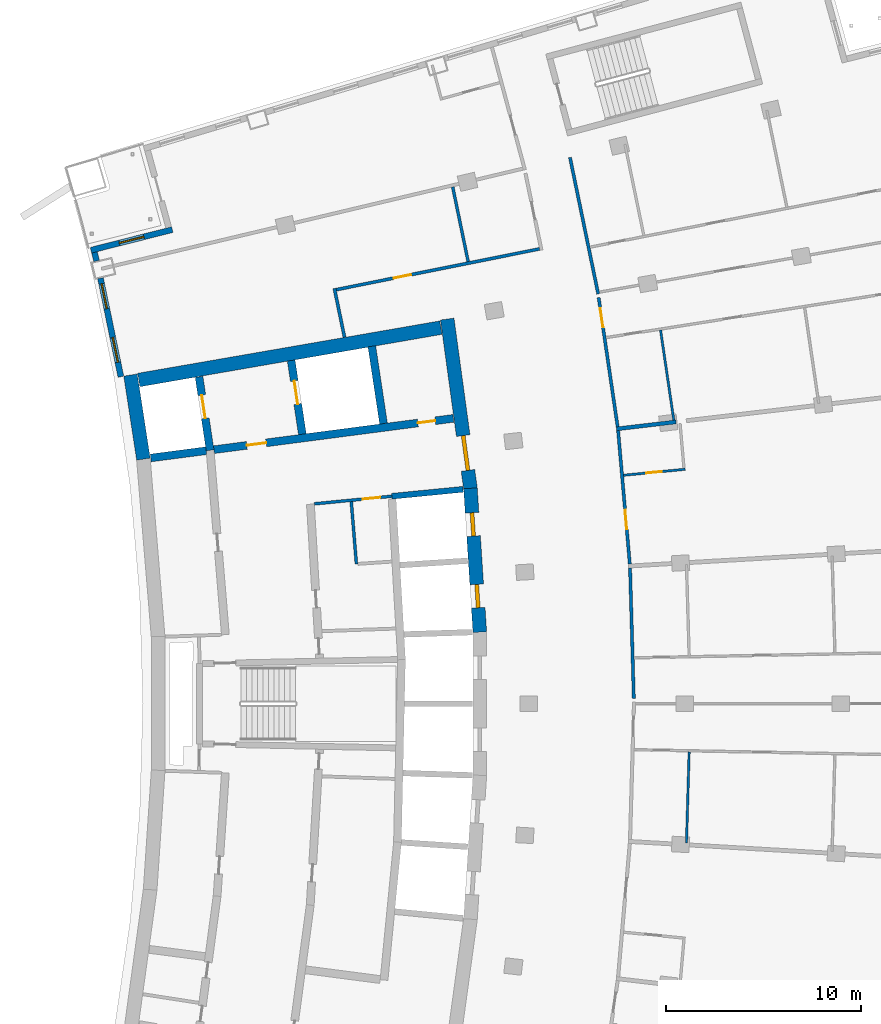
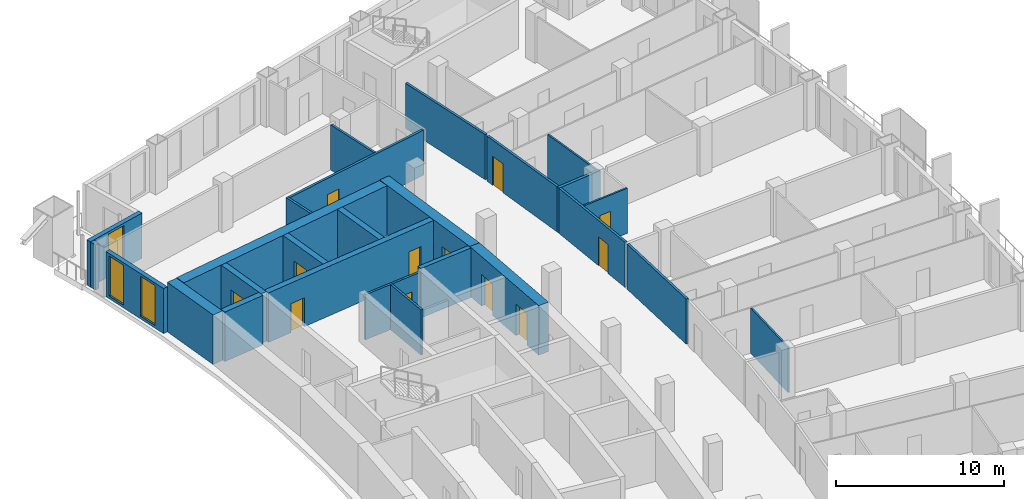
# One storey, part 13 of 20: 26 walls, 12 doors, 3 windows, 15 openings.
"""IFC4 building model written with IfcOpenShell, lengths in metres."""

from ifc_helpers import new_model, si_unit, direction, frame, frame_2d, origin, place, context, subcontext, project, spatial, rectangle, extrude, material, layer, layer_set, type_object, element, fill, save


model = new_model("IFC4")

# Units and contexts
model_context = context("Model", 3, precision=1e-05, world=origin(), true_north=direction((0.0, 1.0)))
body_context = subcontext(model_context, "Body", "Model", "MODEL_VIEW")
ifc_project = project(units=[si_unit("LENGTHUNIT", "METRE"), si_unit("AREAUNIT", "SQUARE_METRE"), si_unit("VOLUMEUNIT", "CUBIC_METRE"), si_unit("PLANEANGLEUNIT", "RADIAN"), si_unit("MASSUNIT", "GRAM", prefix="KILO")], contexts=[model_context])

# Site, building, storey
site_placement = place(None, origin())
site = spatial("IfcSite", under=ifc_project, at=site_placement, CompositionType="ELEMENT")
building_placement = place(site_placement, origin())
building = spatial("IfcBuilding", under=site, at=building_placement, Name="Alderwake Tower", CompositionType="ELEMENT")
storey_placement = place(building_placement, frame((0.0, 0.0, 153.199951171875)))
storey = spatial("IfcBuildingStorey", under=building, at=storey_placement, Name="L37", CompositionType="ELEMENT", Elevation=153.199951171875)

# Wall
ifc_material_1 = material(Name="Gypsum shaft wall system, rated")
ifc_layer_1 = layer(ifc_material_1, 0.14990234375)
ifc_layer_set_1 = layer_set([ifc_layer_1], Name="Core room partition 150")
wall_type_1 = type_object("IfcWallType", Name="Core room partition 150", PredefinedType="PARTITIONING", material=ifc_layer_set_1)
wall_1_placement = place(storey_placement, frame((26.9599609375, 68.170654296875, 0.0), z_axis=(0.0, 0.0, 1.0), x_axis=(-0.081803626558, 0.996648466954, 0.0)))
element("IfcWall", 1, at=wall_1_placement, inside=storey, type_object=wall_type_1, Name="CW/L37/PA+107_+70", PredefinedType="PARTITIONING", context=body_context, shape_type="SweptSolid", body=[
    extrude(rectangle(XDim=3.205322265625, YDim=0.14990234375, at=frame_2d((1.6025390625, 0.0))), origin(), (0.0, 0.0, 1.0), 3.280029296875),
])

# Wall, opening, door
wall_2_placement = place(storey_placement, frame((28.780517578125, 71.644287109375, 0.0), z_axis=(0.0, 0.0, 1.0), x_axis=(-0.995250000627, -0.097352125046, 0.0)))
wall_2 = element("IfcWall", 2, at=wall_2_placement, inside=storey, type_object=wall_type_1, Name="CW/L37/PR+102_+86", PredefinedType="PARTITIONING", context=body_context, shape_type="SweptSolid", body=[
    extrude(rectangle(XDim=4.0, YDim=0.14990234375, at=frame_2d((2.0, 0.0))), origin(), (0.0, 0.0, 1.0), 3.280029296875),
])
opening_1_placement = place(wall_2_placement, frame((0.60009765625, 0.0, 0.0)))
opening_1 = element("IfcOpeningElement", 3, at=opening_1_placement, cuts=wall_2, Name="Opening C022", PredefinedType="OPENING", context=body_context, shape_type="SweptSolid", body=[
    extrude(rectangle(XDim=0.89990234375, YDim=2.10009765625, at=frame_2d((0.449951171875, 1.050048828125))), frame((0.0, 0.0849609375, 0.0), z_axis=(0.0, -1.0, 0.0), x_axis=(1.0, 0.0, 0.0)), (0.0, 0.0, 1.0), 0.169921875),
])
ifc_material_2 = material(Name="Painted steel leaf", Category="steel")
door_type_1 = type_object("IfcDoorType", Name="Core room door 900", OperationType="SINGLE_SWING_LEFT", PredefinedType="DOOR", material=ifc_material_2)
door_1_placement = place(opening_1_placement, origin())
door_1 = element("IfcDoor", 4, at=door_1_placement, inside=storey, type_object=door_type_1, Name="Room door", OperationType="SINGLE_SWING_LEFT", OverallHeight=2.10009765625, OverallWidth=0.89990234375, PredefinedType="DOOR", context=body_context, shape_type="SweptSolid", body=[
    extrude(rectangle(XDim=0.89990234375, YDim=2.10009765625, at=frame_2d((0.449951171875, 1.050048828125))), frame((0.0, 0.02490234375, 0.0), z_axis=(0.0, -1.0, 0.0), x_axis=(1.0, 0.0, 0.0)), (0.0, 0.0, 1.0), 0.050048828125),
])
fill(opening_1, door_1)

# Wall
ifc_material_3 = material(Name="Concrete C70/85", Category="concrete")
ifc_layer_2 = layer(ifc_material_3, 0.699951171875)
ifc_layer_set_2 = layer_set([ifc_layer_2], Name="Core wall outer 700 C70-85")
wall_type_2 = type_object("IfcWallType", Name="Core wall outer 700 C70-85", PredefinedType="SHEAR", material=ifc_layer_set_2)
wall_3_placement = place(storey_placement, frame((16.033935546875, 73.547607421875, 0.0), z_axis=(0.0, 0.0, 1.0), x_axis=(-0.151897483467, 0.988396253795, 0.0)))
element("IfcWall", 5, at=wall_3_placement, inside=storey, type_object=wall_type_2, Name="Core wall CW.039", PredefinedType="SHEAR", context=body_context, shape_type="SweptSolid", body=[
    extrude(rectangle(XDim=4.365234375, YDim=0.699951171875, at=frame_2d((2.1826171875, 0.0))), origin(), (0.0, 0.0, 1.0), 3.60009765625),
])

# Wall, openings, doors
wall_4_placement = place(storey_placement, frame((33.291015625, 64.6728515625, 0.0), z_axis=(0.0, 0.0, 1.0), x_axis=(-0.065009096017, 0.99788467141, 0.0)))
wall_4 = element("IfcWall", 6, at=wall_4_placement, inside=storey, type_object=wall_type_2, Name="Core wall CW.010", PredefinedType="SHEAR", context=body_context, shape_type="SweptSolid", body=[
    extrude(rectangle(XDim=7.39453125, YDim=0.699951171875, at=frame_2d((3.697265625, 0.0))), origin(), (0.0, 0.0, 1.0), 3.60009765625),
])
opening_2_placement = place(wall_4_placement, frame((1.25390625, 0.0, 0.0)))
opening_2 = element("IfcOpeningElement", 7, at=opening_2_placement, cuts=wall_4, Name="Opening LD-HP5", PredefinedType="OPENING", context=body_context, shape_type="SweptSolid", body=[
    extrude(rectangle(XDim=1.199951171875, YDim=2.300048828125, at=frame_2d((0.60009765625, 1.14990234375))), frame((0.0, 0.35986328125, 0.0), z_axis=(0.0, -1.0, 0.0), x_axis=(1.0, 0.0, 0.0)), (0.0, 0.0, 1.0), 0.719970703125),
])
opening_3_placement = place(wall_4_placement, frame((4.939208984375, 0.0, 0.0)))
opening_3 = element("IfcOpeningElement", 8, at=opening_3_placement, cuts=wall_4, Name="Opening LD-HP6", PredefinedType="OPENING", context=body_context, shape_type="SweptSolid", body=[
    extrude(rectangle(XDim=1.199951171875, YDim=2.300048828125, at=frame_2d((0.60009765625, 1.14990234375))), frame((0.0, 0.35986328125, 0.0), z_axis=(0.0, -1.0, 0.0), x_axis=(1.0, 0.0, 0.0)), (0.0, 0.0, 1.0), 0.719970703125),
])
ifc_material_4 = material(Name="Stainless steel sliding leaf", Category="steel")
door_type_2 = type_object("IfcDoorType", Name="Lift landing door 1200", OperationType="SLIDING_TO_LEFT", PredefinedType="DOOR", material=ifc_material_4)
door_2_placement = place(opening_2_placement, origin())
door_2 = element("IfcDoor", 9, at=door_2_placement, inside=storey, type_object=door_type_2, Name="Lift landing door HP5", OperationType="SLIDING_TO_LEFT", OverallHeight=2.300048828125, OverallWidth=1.199951171875, PredefinedType="DOOR", context=body_context, shape_type="SweptSolid", body=[
    extrude(rectangle(XDim=1.199951171875, YDim=2.300048828125, at=frame_2d((0.60009765625, 1.14990234375))), frame((0.0, 0.10009765625, 0.0), z_axis=(0.0, -1.0, 0.0), x_axis=(1.0, 0.0, 0.0)), (0.0, 0.0, 1.0), 0.199951171875),
])
fill(opening_2, door_2)
door_3_placement = place(opening_3_placement, origin())
door_3 = element("IfcDoor", 10, at=door_3_placement, inside=storey, type_object=door_type_2, Name="Lift landing door HP6", OperationType="SLIDING_TO_LEFT", OverallHeight=2.300048828125, OverallWidth=1.199951171875, PredefinedType="DOOR", context=body_context, shape_type="SweptSolid", body=[
    extrude(rectangle(XDim=1.199951171875, YDim=2.300048828125, at=frame_2d((0.60009765625, 1.14990234375))), frame((0.0, 0.10009765625, 0.0), z_axis=(0.0, -1.0, 0.0), x_axis=(1.0, 0.0, 0.0)), (0.0, 0.0, 1.0), 0.199951171875),
])
fill(opening_3, door_3)

# Wall, opening, door
wall_5_placement = place(storey_placement, frame((31.618896484375, 80.735107421875, 0.0), z_axis=(0.0, 0.0, 1.0), x_axis=(0.135835706655, -0.99073137671, 0.0)))
wall_5 = element("IfcWall", 11, at=wall_5_placement, inside=storey, type_object=wall_type_2, Name="Core wall CW.009", PredefinedType="SHEAR", context=body_context, shape_type="SweptSolid", body=[
    extrude(rectangle(XDim=8.790771484375, YDim=0.699951171875, at=frame_2d((4.3955078125, 0.0))), origin(), (0.0, 0.0, 1.0), 3.60009765625),
])
opening_4_placement = place(wall_5_placement, frame((6.035888671875, 0.0, 0.0)))
opening_4 = element("IfcOpeningElement", 12, at=opening_4_placement, cuts=wall_5, Name="Opening C001", PredefinedType="OPENING", context=body_context, shape_type="SweptSolid", body=[
    extrude(rectangle(XDim=1.800048828125, YDim=2.10009765625, at=frame_2d((0.89990234375, 1.050048828125))), frame((0.0, 0.35986328125, 0.0), z_axis=(0.0, -1.0, 0.0), x_axis=(1.0, 0.0, 0.0)), (0.0, 0.0, 1.0), 0.719970703125),
])
ifc_material_5 = material(Name="Steel-framed fire door leaves", Category="steel")
door_type_3 = type_object("IfcDoorType", Name="Core double door 1800 fire-rated", OperationType="DOUBLE_DOOR_SINGLE_SWING", PredefinedType="DOOR", material=ifc_material_5)
door_4_placement = place(opening_4_placement, origin())
door_4 = element("IfcDoor", 13, at=door_4_placement, inside=storey, type_object=door_type_3, Name="Lobby double door", OperationType="DOUBLE_DOOR_SINGLE_SWING", OverallHeight=2.10009765625, OverallWidth=1.800048828125, PredefinedType="DOOR", context=body_context, shape_type="SweptSolid", body=[
    extrude(rectangle(XDim=1.800048828125, YDim=2.10009765625, at=frame_2d((0.89990234375, 1.050048828125))), frame((0.0, 0.10009765625, 0.0), z_axis=(0.0, -1.0, 0.0), x_axis=(1.0, 0.0, 0.0)), (0.0, 0.0, 1.0), 0.199951171875),
])
fill(opening_4, door_4)

# Walls
wall_6_placement = place(storey_placement, frame((15.79443359375, 77.606689453125, 0.0), z_axis=(0.0, 0.0, 1.0), x_axis=(0.985301369349, 0.170825090542, 0.0)))
element("IfcWall", 14, at=wall_6_placement, inside=storey, type_object=wall_type_2, Name="Core wall CW.055", PredefinedType="SHEAR", context=body_context, shape_type="SweptSolid", body=[
    extrude(rectangle(XDim=15.732421875, YDim=0.699951171875, at=frame_2d((7.8662109375, 0.0))), origin(), (0.0, 0.0, 1.0), 3.60009765625),
])
ifc_material_6 = material(Name="Concrete C70/85", Category="concrete")
ifc_layer_3 = layer(ifc_material_6, 0.300048828125)
ifc_layer_set_3 = layer_set([ifc_layer_3], Name="Core wall shaft 300 C70-85")
wall_type_3 = type_object("IfcWallType", Name="Core wall shaft 300 C70-85", PredefinedType="SHEAR", material=ifc_layer_set_3)
wall_7_placement = place(storey_placement, frame((28.780517578125, 71.644287109375, 0.0), z_axis=(0.0, 0.0, 1.0), x_axis=(0.995245736737, 0.097395705788, 0.0)))
element("IfcWall", 15, at=wall_7_placement, inside=storey, type_object=wall_type_3, Name="Core wall CW.049", PredefinedType="SHEAR", context=body_context, shape_type="SweptSolid", body=[
    extrude(rectangle(XDim=3.669677734375, YDim=0.300048828125, at=frame_2d((1.8349609375, 0.0))), origin(), (0.0, 0.0, 1.0), 3.60009765625),
])

# Wall, opening, door
ifc_material_7 = material(Name="Concrete C70/85", Category="concrete")
ifc_layer_4 = layer(ifc_material_7, 0.39990234375)
ifc_layer_set_4 = layer_set([ifc_layer_4], Name="Core wall spine 400 C70-85")
wall_type_4 = type_object("IfcWallType", Name="Core wall spine 400 C70-85", PredefinedType="SHEAR", material=ifc_layer_set_4)
wall_8_placement = place(storey_placement, frame((19.4541015625, 74.000732421875, 0.0), z_axis=(0.0, 0.0, 1.0), x_axis=(-0.148540738889, 0.988906289236, 0.0)))
wall_8 = element("IfcWall", 16, at=wall_8_placement, inside=storey, type_object=wall_type_4, Name="Core wall CW.030", PredefinedType="SHEAR", context=body_context, shape_type="SweptSolid", body=[
    extrude(rectangle(XDim=3.814697265625, YDim=0.39990234375, at=frame_2d((1.9072265625, 0.0))), origin(), (0.0, 0.0, 1.0), 3.60009765625),
])
opening_5_placement = place(wall_8_placement, frame((1.660888671875, 0.0, 0.0)))
opening_5 = element("IfcOpeningElement", 17, at=opening_5_placement, cuts=wall_8, Name="Opening LD-FF1", PredefinedType="OPENING", context=body_context, shape_type="SweptSolid", body=[
    extrude(rectangle(XDim=1.199951171875, YDim=2.300048828125, at=frame_2d((0.60009765625, 1.14990234375))), frame((0.0, 0.2099609375, 0.0), z_axis=(0.0, -1.0, 0.0), x_axis=(1.0, 0.0, 0.0)), (0.0, 0.0, 1.0), 0.419921875),
])
door_5_placement = place(opening_5_placement, origin())
door_5 = element("IfcDoor", 18, at=door_5_placement, inside=storey, type_object=door_type_2, Name="Lift landing door FF1", OperationType="SLIDING_TO_LEFT", OverallHeight=2.300048828125, OverallWidth=1.199951171875, PredefinedType="DOOR", context=body_context, shape_type="SweptSolid", body=[
    extrude(rectangle(XDim=1.199951171875, YDim=2.300048828125, at=frame_2d((0.60009765625, 1.14990234375))), frame((0.0, 0.02490234375, 0.0), z_axis=(0.0, -1.0, 0.0), x_axis=(1.0, 0.0, 0.0)), (0.0, 0.0, 1.0), 0.050048828125),
])
fill(opening_5, door_5)

wall_9_placement = place(storey_placement, frame((24.186279296875, 74.82861328125, 0.0), z_axis=(0.0, 0.0, 1.0), x_axis=(-0.149604879253, 0.988745862243, 0.0)))
wall_9 = element("IfcWall", 19, at=wall_9_placement, inside=storey, type_object=wall_type_4, Name="Core wall CW.044", PredefinedType="SHEAR", context=body_context, shape_type="SweptSolid", body=[
    extrude(rectangle(XDim=3.823486328125, YDim=0.39990234375, at=frame_2d((1.91162109375, 0.0))), origin(), (0.0, 0.0, 1.0), 3.60009765625),
])
opening_6_placement = place(wall_9_placement, frame((1.561767578125, 0.0, 0.0)))
opening_6 = element("IfcOpeningElement", 20, at=opening_6_placement, cuts=wall_9, Name="Opening LD-FF2", PredefinedType="OPENING", context=body_context, shape_type="SweptSolid", body=[
    extrude(rectangle(XDim=1.199951171875, YDim=2.300048828125, at=frame_2d((0.60009765625, 1.14990234375))), frame((0.0, 0.2099609375, 0.0), z_axis=(0.0, -1.0, 0.0), x_axis=(1.0, 0.0, 0.0)), (0.0, 0.0, 1.0), 0.419921875),
])
door_6_placement = place(opening_6_placement, origin())
door_6 = element("IfcDoor", 21, at=door_6_placement, inside=storey, type_object=door_type_2, Name="Lift landing door FF2", OperationType="SLIDING_TO_LEFT", OverallHeight=2.300048828125, OverallWidth=1.199951171875, PredefinedType="DOOR", context=body_context, shape_type="SweptSolid", body=[
    extrude(rectangle(XDim=1.199951171875, YDim=2.300048828125, at=frame_2d((0.60009765625, 1.14990234375))), frame((0.0, 0.02490234375, 0.0), z_axis=(0.0, -1.0, 0.0), x_axis=(1.0, 0.0, 0.0)), (0.0, 0.0, 1.0), 0.050048828125),
])
fill(opening_6, door_6)

# Walls
wall_10_placement = place(storey_placement, frame((28.350830078125, 75.373291015625, 0.0), z_axis=(0.0, 0.0, 1.0), x_axis=(-0.149688214264, 0.988733249421, 0.0)))
element("IfcWall", 22, at=wall_10_placement, inside=storey, type_object=wall_type_4, Name="Core wall CW.001", PredefinedType="SHEAR", context=body_context, shape_type="SweptSolid", body=[
    extrude(rectangle(XDim=4.01220703125, YDim=0.39990234375, at=frame_2d((2.006103515625, 0.0))), origin(), (0.0, 0.0, 1.0), 3.60009765625),
])
wall_11_placement = place(storey_placement, frame((16.4091796875, 73.609619140625, 0.0), z_axis=(0.0, 0.0, 1.0), x_axis=(0.991557657486, 0.129666541102, 0.0)))
element("IfcWall", 23, at=wall_11_placement, inside=storey, type_object=wall_type_4, Name="Core wall CW.051", PredefinedType="SHEAR", context=body_context, shape_type="SweptSolid", body=[
    extrude(rectangle(XDim=2.869384765625, YDim=0.39990234375, at=frame_2d((1.4345703125, 0.0))), origin(), (0.0, 0.0, 1.0), 3.60009765625),
])

# Wall, openings, doors
wall_12_placement = place(storey_placement, frame((31.933837890625, 75.64013671875, 0.0), z_axis=(0.0, 0.0, 1.0), x_axis=(-0.991554628634, -0.129689700573, 0.0)))
wall_12 = element("IfcWall", 24, at=wall_12_placement, inside=storey, type_object=wall_type_4, Name="Core wall CW.052", PredefinedType="SHEAR", context=body_context, shape_type="SweptSolid", body=[
    extrude(rectangle(XDim=12.38671875, YDim=0.39990234375, at=frame_2d((6.193359375, 0.0))), origin(), (0.0, 0.0, 1.0), 3.60009765625),
])
opening_7_placement = place(wall_12_placement, frame((9.687255859375, 0.0, 0.0)))
opening_7 = element("IfcOpeningElement", 25, at=opening_7_placement, cuts=wall_12, Name="Opening C002", PredefinedType="OPENING", context=body_context, shape_type="SweptSolid", body=[
    extrude(rectangle(XDim=1.0, YDim=2.10009765625, at=frame_2d((0.5, 1.050048828125))), frame((0.0, 0.2099609375, 0.0), z_axis=(0.0, -1.0, 0.0), x_axis=(1.0, 0.0, 0.0)), (0.0, 0.0, 1.0), 0.419921875),
])
opening_8_placement = place(wall_12_placement, frame((0.937255859375, 0.0, 0.0)))
opening_8 = element("IfcOpeningElement", 26, at=opening_8_placement, cuts=wall_12, Name="Opening C020", PredefinedType="OPENING", context=body_context, shape_type="SweptSolid", body=[
    extrude(rectangle(XDim=0.89990234375, YDim=2.10009765625, at=frame_2d((0.449951171875, 1.050048828125))), frame((0.0, 0.2099609375, 0.0), z_axis=(0.0, -1.0, 0.0), x_axis=(1.0, 0.0, 0.0)), (0.0, 0.0, 1.0), 0.419921875),
])
door_7_placement = place(opening_8_placement, origin())
door_7 = element("IfcDoor", 27, at=door_7_placement, inside=storey, type_object=door_type_1, Name="Room door", OperationType="SINGLE_SWING_RIGHT", OverallHeight=2.10009765625, OverallWidth=0.89990234375, PredefinedType="DOOR", context=body_context, shape_type="SweptSolid", body=[
    extrude(rectangle(XDim=0.89990234375, YDim=2.10009765625, at=frame_2d((0.449951171875, 1.050048828125))), frame((0.0, 0.02490234375, 0.0), z_axis=(0.0, -1.0, 0.0), x_axis=(1.0, 0.0, 0.0)), (0.0, 0.0, 1.0), 0.050048828125),
])
fill(opening_8, door_7)
ifc_material_8 = material(Name="Steel-framed fire door leaf", Category="steel")
door_type_4 = type_object("IfcDoorType", Name="Firefighting lobby door 1000 fire-rated", OperationType="SINGLE_SWING_LEFT", PredefinedType="DOOR", material=ifc_material_8)
door_8_placement = place(opening_7_placement, origin())
door_8 = element("IfcDoor", 28, at=door_8_placement, inside=storey, type_object=door_type_4, Name="Firefighting lobby door", OperationType="SINGLE_SWING_RIGHT", OverallHeight=2.10009765625, OverallWidth=1.0, PredefinedType="DOOR", context=body_context, shape_type="SweptSolid", body=[
    extrude(rectangle(XDim=1.0, YDim=2.10009765625, at=frame_2d((0.5, 1.050048828125))), frame((0.0, 0.02490234375, 0.0), z_axis=(0.0, -1.0, 0.0), x_axis=(1.0, 0.0, 0.0)), (0.0, 0.0, 1.0), 0.050048828125),
])
fill(opening_7, door_8)

# Wall
ifc_material_9 = material(Name="Gypsum board on metal studs, rated")
ifc_layer_5 = layer(ifc_material_9, 0.159912109375)
ifc_layer_set_5 = layer_set([ifc_layer_5], Name="Corridor wall 160")
wall_type_5 = type_object("IfcWallType", Name="Corridor wall 160", PredefinedType="PARTITIONING", material=ifc_layer_set_5)
wall_13_placement = place(storey_placement, frame((25.831787109375, 82.305419921875, 0.0), z_axis=(0.0, 0.0, 1.0), x_axis=(0.202450797205, -0.979292435747, 0.0)))
element("IfcWall", 29, at=wall_13_placement, inside=storey, type_object=wall_type_5, Name="WL/L37/W14", PredefinedType="PARTITIONING", context=body_context, shape_type="SweptSolid", body=[
    extrude(rectangle(XDim=2.555419921875, YDim=0.159912109375, at=frame_2d((1.27783203125, 0.0))), origin(), (0.0, 0.0, 1.0), 3.280029296875),
])

# Wall, opening, door
wall_14_placement = place(storey_placement, frame((25.926513671875, 82.24267578125, 0.0), z_axis=(0.0, 0.0, 1.0), x_axis=(0.98046310274, 0.196703086316, 0.0)))
wall_14 = element("IfcWall", 30, at=wall_14_placement, inside=storey, type_object=wall_type_5, Name="WL/L37/W20", PredefinedType="PARTITIONING", context=body_context, shape_type="SweptSolid", body=[
    extrude(rectangle(XDim=10.637939453125, YDim=0.159912109375, at=frame_2d((5.31884765625, 0.0))), origin(), (0.0, 0.0, 1.0), 3.280029296875),
])
opening_9_placement = place(wall_14_placement, frame((3.009033203125, 0.0, 0.0)))
opening_9 = element("IfcOpeningElement", 31, at=opening_9_placement, cuts=wall_14, Name="Opening R10-SBN1", PredefinedType="OPENING", context=body_context, shape_type="SweptSolid", body=[
    extrude(rectangle(XDim=0.89990234375, YDim=2.10009765625, at=frame_2d((0.449951171875, 1.050048828125))), frame((0.0, 0.08984375, 0.0), z_axis=(0.0, -1.0, 0.0), x_axis=(1.0, 0.0, 0.0)), (0.0, 0.0, 1.0), 0.179931640625),
])
ifc_material_10 = material(Name="Painted timber leaf", Category="wood")
door_type_5 = type_object("IfcDoorType", Name="Room door 900", OperationType="SINGLE_SWING_LEFT", PredefinedType="DOOR", material=ifc_material_10)
door_9_placement = place(opening_9_placement, origin())
door_9 = element("IfcDoor", 32, at=door_9_placement, inside=storey, type_object=door_type_5, Name="DR/L37/SBN1", OperationType="SINGLE_SWING_LEFT", OverallHeight=2.10009765625, OverallWidth=0.89990234375, PredefinedType="DOOR", context=body_context, shape_type="SweptSolid", body=[
    extrude(rectangle(XDim=0.89990234375, YDim=2.10009765625, at=frame_2d((0.449951171875, 1.050048828125))), frame((0.0, 0.02490234375, 0.0), z_axis=(0.0, -1.0, 0.0), x_axis=(1.0, 0.0, 0.0)), (0.0, 0.0, 1.0), 0.050048828125),
])
fill(opening_9, door_9)

# Wall
wall_15_placement = place(storey_placement, frame((39.3642578125, 82.022705078125, 0.0), z_axis=(0.0, 0.0, 1.0), x_axis=(-0.202409142021, 0.979301046271, 0.0)))
element("IfcWall", 33, at=wall_15_placement, inside=storey, type_object=wall_type_5, Name="WL/L37/W23", PredefinedType="PARTITIONING", context=body_context, shape_type="SweptSolid", body=[
    extrude(rectangle(XDim=7.150146484375, YDim=0.159912109375, at=frame_2d((3.5751953125, 0.0))), origin(), (0.0, 0.0, 1.0), 3.280029296875),
])

# Wall, opening, door
wall_16_placement = place(storey_placement, frame((39.38671875, 81.837158203125, 0.0), z_axis=(0.0, 0.0, 1.0), x_axis=(0.145576845789, -0.989346947218, 0.0)))
wall_16 = element("IfcWall", 34, at=wall_16_placement, inside=storey, type_object=wall_type_5, Name="WL/L37/W24", PredefinedType="PARTITIONING", context=body_context, shape_type="SweptSolid", body=[
    extrude(rectangle(XDim=6.701416015625, YDim=0.159912109375, at=frame_2d((3.3505859375, 0.0))), origin(), (0.0, 0.0, 1.0), 3.280029296875),
])
opening_10_placement = place(wall_16_placement, frame((0.54443359375, 0.0, 0.0)))
opening_10 = element("IfcOpeningElement", 35, at=opening_10_placement, cuts=wall_16, Name="Opening R10-U07.2", PredefinedType="OPENING", context=body_context, shape_type="SweptSolid", body=[
    extrude(rectangle(XDim=1.0, YDim=2.10009765625, at=frame_2d((0.5, 1.050048828125))), frame((0.0, 0.08984375, 0.0), z_axis=(0.0, -1.0, 0.0), x_axis=(1.0, 0.0, 0.0)), (0.0, 0.0, 1.0), 0.179931640625),
])
ifc_material_11 = material(Name="Solid timber leaf in steel frame", Category="steel")
door_type_6 = type_object("IfcDoorType", Name="Flat entrance door 1000 fire-rated", OperationType="SINGLE_SWING_LEFT", PredefinedType="DOOR", material=ifc_material_11)
door_10_placement = place(opening_10_placement, origin())
door_10 = element("IfcDoor", 36, at=door_10_placement, inside=storey, type_object=door_type_6, Name="DR/L37/U07.2", OperationType="SINGLE_SWING_LEFT", OverallHeight=2.10009765625, OverallWidth=1.0, PredefinedType="DOOR", context=body_context, shape_type="SweptSolid", body=[
    extrude(rectangle(XDim=1.0, YDim=2.10009765625, at=frame_2d((0.5, 1.050048828125))), frame((0.0, 0.02490234375, 0.0), z_axis=(0.0, -1.0, 0.0), x_axis=(1.0, 0.0, 0.0)), (0.0, 0.0, 1.0), 0.050048828125),
])
fill(opening_10, door_10)

wall_17_placement = place(storey_placement, frame((40.3857421875, 75.00830078125, 0.0), z_axis=(0.0, 0.0, 1.0), x_axis=(0.087448731147, -0.996169021512, 0.0)))
wall_17 = element("IfcWall", 37, at=wall_17_placement, inside=storey, type_object=wall_type_5, Name="WL/L37/W27", PredefinedType="PARTITIONING", context=body_context, shape_type="SweptSolid", body=[
    extrude(rectangle(XDim=6.867919921875, YDim=0.159912109375, at=frame_2d((3.43408203125, 0.0))), origin(), (0.0, 0.0, 1.0), 3.280029296875),
])
opening_11_placement = place(wall_17_placement, frame((4.085693359375, 0.0, 0.0)))
opening_11 = element("IfcOpeningElement", 38, at=opening_11_placement, cuts=wall_17, Name="Opening R10-U06.1", PredefinedType="OPENING", context=body_context, shape_type="SweptSolid", body=[
    extrude(rectangle(XDim=1.0, YDim=2.10009765625, at=frame_2d((0.5, 1.050048828125))), frame((0.0, 0.08984375, 0.0), z_axis=(0.0, -1.0, 0.0), x_axis=(1.0, 0.0, 0.0)), (0.0, 0.0, 1.0), 0.179931640625),
])
door_11_placement = place(opening_11_placement, origin())
door_11 = element("IfcDoor", 39, at=door_11_placement, inside=storey, type_object=door_type_6, Name="DR/L37/U06.1", OperationType="SINGLE_SWING_LEFT", OverallHeight=2.10009765625, OverallWidth=1.0, PredefinedType="DOOR", context=body_context, shape_type="SweptSolid", body=[
    extrude(rectangle(XDim=1.0, YDim=2.10009765625, at=frame_2d((0.5, 1.050048828125))), frame((0.0, 0.02490234375, 0.0), z_axis=(0.0, -1.0, 0.0), x_axis=(1.0, 0.0, 0.0)), (0.0, 0.0, 1.0), 0.050048828125),
])
fill(opening_11, door_11)

# Walls
wall_18_placement = place(storey_placement, frame((40.997802734375, 67.967041015625, 0.0), z_axis=(0.0, 0.0, 1.0), x_axis=(0.0288778927, -0.99958294669, 0.0)))
element("IfcWall", 40, at=wall_18_placement, inside=storey, type_object=wall_type_5, Name="WL/L37/W28", PredefinedType="PARTITIONING", context=body_context, shape_type="SweptSolid", body=[
    extrude(rectangle(XDim=6.7041015625, YDim=0.159912109375, at=frame_2d((3.35205078125, 0.0))), origin(), (0.0, 0.0, 1.0), 3.280029296875),
])
ifc_material_12 = material(Name="Precast concrete C50/60 spandrel panel", Category="concrete")
ifc_layer_6 = layer(ifc_material_12, 0.300048828125)
ifc_layer_set_6 = layer_set([ifc_layer_6], Name="External wall EW1 Precast concrete C50/60 spandrel")
wall_type_6 = type_object("IfcWallType", Name="External wall EW1 Precast concrete C50/60 spandrel", PredefinedType="SOLIDWALL", material=ifc_layer_set_6)
wall_19_placement = place(storey_placement, frame((13.523193359375, 84.1572265625, 0.0), z_axis=(0.0, 0.0, 1.0), x_axis=(0.238729806706, -0.97108603089, 0.0)))
element("IfcWall", 41, at=wall_19_placement, inside=storey, type_object=wall_type_6, Name="External wall 30", PredefinedType="SOLIDWALL", context=body_context, shape_type="SweptSolid", body=[
    extrude(rectangle(XDim=0.453125, YDim=0.300048828125, at=frame_2d((0.2265625, 0.0))), origin(), (0.0, 0.0, 1.0), 3.280029296875),
])

# Wall, openings, windows
wall_20_placement = place(storey_placement, frame((13.83203125, 82.8291015625, 0.0), z_axis=(0.0, 0.0, 1.0), x_axis=(0.202754243564, -0.979229654737, 0.0)))
wall_20 = element("IfcWall", 42, at=wall_20_placement, inside=storey, type_object=wall_type_6, Name="External wall 31", PredefinedType="SOLIDWALL", context=body_context, shape_type="SweptSolid", body=[
    extrude(rectangle(XDim=5.15966796875, YDim=0.300048828125, at=frame_2d((2.579833984375, 0.0))), origin(), (0.0, 0.0, 1.0), 3.280029296875),
])
opening_12_placement = place(wall_20_placement, frame((0.29052734375, 0.0, 0.199951171875)))
opening_12 = element("IfcOpeningElement", 43, at=opening_12_placement, cuts=wall_20, Name="Opening W1", PredefinedType="OPENING", context=body_context, shape_type="SweptSolid", body=[
    extrude(rectangle(XDim=1.300048828125, YDim=2.89990234375, at=frame_2d((0.64990234375, 1.449951171875))), frame((0.0, 0.159912109375, 0.0), z_axis=(0.0, -1.0, 0.0), x_axis=(1.0, 0.0, 0.0)), (0.0, 0.0, 1.0), 0.320068359375),
])
opening_13_placement = place(wall_20_placement, frame((3.103271484375, 0.0, 0.199951171875)))
opening_13 = element("IfcOpeningElement", 44, at=opening_13_placement, cuts=wall_20, Name="Opening W1", PredefinedType="OPENING", context=body_context, shape_type="SweptSolid", body=[
    extrude(rectangle(XDim=1.300048828125, YDim=2.89990234375, at=frame_2d((0.64990234375, 1.449951171875))), frame((0.0, 0.159912109375, 0.0), z_axis=(0.0, -1.0, 0.0), x_axis=(1.0, 0.0, 0.0)), (0.0, 0.0, 1.0), 0.320068359375),
])
ifc_material_13 = material(Name="Bronze tinted glass in aluminium frame", Category="aluminium")
window_type = type_object("IfcWindowType", Name="Window W1 tall fixed and vent", PartitioningType="DOUBLE_PANEL_VERTICAL", PredefinedType="WINDOW", material=ifc_material_13)
window_1_placement = place(opening_12_placement, origin())
window_1 = element("IfcWindow", 45, at=window_1_placement, inside=storey, type_object=window_type, Name="Window W1 tall fixed and vent", OverallHeight=2.89990234375, OverallWidth=1.300048828125, PartitioningType="DOUBLE_PANEL_VERTICAL", PredefinedType="WINDOW", context=body_context, shape_type="SweptSolid", body=[
    extrude(rectangle(XDim=1.300048828125, YDim=2.89990234375, at=frame_2d((0.64990234375, 1.449951171875))), frame((0.0, 0.030029296875, 0.0), z_axis=(0.0, -1.0, 0.0), x_axis=(1.0, 0.0, 0.0)), (0.0, 0.0, 1.0), 0.06005859375),
])
fill(opening_12, window_1)
window_2_placement = place(opening_13_placement, origin())
window_2 = element("IfcWindow", 46, at=window_2_placement, inside=storey, type_object=window_type, Name="Window W1 tall fixed and vent", OverallHeight=2.89990234375, OverallWidth=1.300048828125, PartitioningType="DOUBLE_PANEL_VERTICAL", PredefinedType="WINDOW", context=body_context, shape_type="SweptSolid", body=[
    extrude(rectangle(XDim=1.300048828125, YDim=2.89990234375, at=frame_2d((0.64990234375, 1.449951171875))), frame((0.0, 0.030029296875, 0.0), z_axis=(0.0, -1.0, 0.0), x_axis=(1.0, 0.0, 0.0)), (0.0, 0.0, 1.0), 0.06005859375),
])
fill(opening_13, window_2)

# Wall, opening, window
ifc_material_14 = material(Name="Bronze metal cladding on lightweight framing")
ifc_layer_7 = layer(ifc_material_14, 0.300048828125)
ifc_layer_set_7 = layer_set([ifc_layer_7], Name="External wall EW2 bronze metal cladding")
wall_type_7 = type_object("IfcWallType", Name="External wall EW2 bronze metal cladding", PredefinedType="SOLIDWALL", material=ifc_layer_set_7)
wall_21_placement = place(storey_placement, frame((17.51611328125, 85.32275390625, 0.0), z_axis=(0.0, 0.0, 1.0), x_axis=(-0.969417740682, -0.245416470617, 0.0)))
wall_21 = element("IfcWall", 47, at=wall_21_placement, inside=storey, type_object=wall_type_7, Name="External wall 29", PredefinedType="SOLIDWALL", context=body_context, shape_type="SweptSolid", body=[
    extrude(rectangle(XDim=4.305419921875, YDim=0.300048828125, at=frame_2d((2.15283203125, 0.0))), origin(), (0.0, 0.0, 1.0), 3.280029296875),
])
opening_14_placement = place(wall_21_placement, frame((1.502685546875, 0.0, 0.199951171875)))
opening_14 = element("IfcOpeningElement", 48, at=opening_14_placement, cuts=wall_21, Name="Opening W1", PredefinedType="OPENING", context=body_context, shape_type="SweptSolid", body=[
    extrude(rectangle(XDim=1.300048828125, YDim=2.89990234375, at=frame_2d((0.64990234375, 1.449951171875))), frame((0.0, 0.159912109375, 0.0), z_axis=(0.0, -1.0, 0.0), x_axis=(1.0, 0.0, 0.0)), (0.0, 0.0, 1.0), 0.320068359375),
])
window_3_placement = place(opening_14_placement, origin())
window_3 = element("IfcWindow", 49, at=window_3_placement, inside=storey, type_object=window_type, Name="Window W1 tall fixed and vent", OverallHeight=2.89990234375, OverallWidth=1.300048828125, PartitioningType="DOUBLE_PANEL_VERTICAL", PredefinedType="WINDOW", context=body_context, shape_type="SweptSolid", body=[
    extrude(rectangle(XDim=1.300048828125, YDim=2.89990234375, at=frame_2d((0.64990234375, 1.449951171875))), frame((0.0, 0.030029296875, 0.0), z_axis=(0.0, -1.0, 0.0), x_axis=(1.0, 0.0, 0.0)), (0.0, 0.0, 1.0), 0.06005859375),
])
fill(opening_14, window_3)

# Walls
ifc_material_15 = material(Name="Dense block masonry wall", Category="masonry")
ifc_layer_8 = layer(ifc_material_15, 0.199951171875)
ifc_layer_set_8 = layer_set([ifc_layer_8], Name="Party wall 200")
wall_type_8 = type_object("IfcWallType", Name="Party wall 200", PredefinedType="SOLIDWALL", material=ifc_layer_set_8)
wall_22_placement = place(storey_placement, frame((43.356201171875, 75.458740234375, 0.0), z_axis=(0.0, 0.0, 1.0), x_axis=(-0.993140319253, -0.116928637524, 0.0)))
element("IfcWall", 50, at=wall_22_placement, inside=storey, type_object=wall_type_8, Name="WL/L37/W01", PredefinedType="SOLIDWALL", context=body_context, shape_type="SweptSolid", body=[
    extrude(rectangle(XDim=3.079833984375, YDim=0.199951171875, at=frame_2d((1.5400390625, 0.0))), origin(), (0.0, 0.0, 1.0), 3.280029296875),
])
ifc_material_16 = material(Name="Gypsum shaft wall system, rated")
ifc_layer_9 = layer(ifc_material_16, 0.14990234375)
ifc_layer_set_9 = layer_set([ifc_layer_9], Name="Riser and shaft wall 150")
wall_type_9 = type_object("IfcWallType", Name="Riser and shaft wall 150", PredefinedType="PARTITIONING", material=ifc_layer_set_9)
wall_23_placement = place(storey_placement, frame((32.69287109375, 83.682373046875, 0.0), z_axis=(0.0, 0.0, 1.0), x_axis=(-0.20266545775, 0.979248034073, 0.0)))
element("IfcWall", 51, at=wall_23_placement, inside=storey, type_object=wall_type_9, Name="WL/L37/W08", PredefinedType="PARTITIONING", context=body_context, shape_type="SweptSolid", body=[
    extrude(rectangle(XDim=3.911376953125, YDim=0.14990234375, at=frame_2d((1.95556640625, 0.0))), origin(), (0.0, 0.0, 1.0), 3.280029296875),
])

# Wall, opening, door
ifc_material_17 = material(Name="Moisture resistant gypsum board on metal studs")
ifc_layer_10 = layer(ifc_material_17, 0.1201171875)
ifc_layer_set_10 = layer_set([ifc_layer_10], Name="Wet room partition 120")
wall_type_10 = type_object("IfcWallType", Name="Wet room partition 120", PredefinedType="PARTITIONING", material=ifc_layer_set_10)
wall_24_placement = place(storey_placement, frame((40.66650390625, 72.7216796875, 0.0), z_axis=(0.0, 0.0, 1.0), x_axis=(0.995319074775, 0.096643361845, 0.0)))
wall_24 = element("IfcWall", 52, at=wall_24_placement, inside=storey, type_object=wall_type_10, Name="WL/L37/W34", PredefinedType="PARTITIONING", context=body_context, shape_type="SweptSolid", body=[
    extrude(rectangle(XDim=3.177978515625, YDim=0.1201171875, at=frame_2d((1.5888671875, 0.0))), origin(), (0.0, 0.0, 1.0), 3.280029296875),
])
opening_15_placement = place(wall_24_placement, frame((1.158935546875, 0.0, 0.0)))
opening_15 = element("IfcOpeningElement", 53, at=opening_15_placement, cuts=wall_24, Name="Opening R10-U06.2", PredefinedType="OPENING", context=body_context, shape_type="SweptSolid", body=[
    extrude(rectangle(XDim=0.800048828125, YDim=2.10009765625, at=frame_2d((0.39990234375, 1.050048828125))), frame((0.0, 0.070068359375, 0.0), z_axis=(0.0, -1.0, 0.0), x_axis=(1.0, 0.0, 0.0)), (0.0, 0.0, 1.0), 0.14013671875),
])
ifc_material_18 = material(Name="Painted timber leaf", Category="wood")
door_type_7 = type_object("IfcDoorType", Name="Bathroom door 800", OperationType="SINGLE_SWING_LEFT", PredefinedType="DOOR", material=ifc_material_18)
door_12_placement = place(opening_15_placement, origin())
door_12 = element("IfcDoor", 54, at=door_12_placement, inside=storey, type_object=door_type_7, Name="DR/L37/U06.2", OperationType="SINGLE_SWING_LEFT", OverallHeight=2.10009765625, OverallWidth=0.800048828125, PredefinedType="DOOR", context=body_context, shape_type="SweptSolid", body=[
    extrude(rectangle(XDim=0.800048828125, YDim=2.10009765625, at=frame_2d((0.39990234375, 1.050048828125))), frame((0.0, 0.02490234375, 0.0), z_axis=(0.0, -1.0, 0.0), x_axis=(1.0, 0.0, 0.0)), (0.0, 0.0, 1.0), 0.050048828125),
])
fill(opening_15, door_12)

# Walls
wall_25_placement = place(storey_placement, frame((43.242431640625, 75.5458984375, 0.0), z_axis=(0.0, 0.0, 1.0), x_axis=(-0.145515042, 0.989356039326, 0.0)))
element("IfcWall", 55, at=wall_25_placement, inside=storey, type_object=wall_type_10, Name="WL/L37/W37", PredefinedType="PARTITIONING", context=body_context, shape_type="SweptSolid", body=[
    extrude(rectangle(XDim=4.67431640625, YDim=0.1201171875, at=frame_2d((2.337158203125, 0.0))), origin(), (0.0, 0.0, 1.0), 3.280029296875),
])
wall_26_placement = place(storey_placement, frame((43.892822265625, 53.865966796875, 0.0), z_axis=(0.0, 0.0, 1.0), x_axis=(0.029256273894, 0.999571943603, 0.0)))
element("IfcWall", 56, at=wall_26_placement, inside=storey, type_object=wall_type_10, Name="WL/L37/W41", PredefinedType="PARTITIONING", context=body_context, shape_type="SweptSolid", body=[
    extrude(rectangle(XDim=4.673095703125, YDim=0.1201171875, at=frame_2d((2.33642578125, 0.0))), origin(), (0.0, 0.0, 1.0), 3.280029296875),
])

save(model, "model.ifc")
